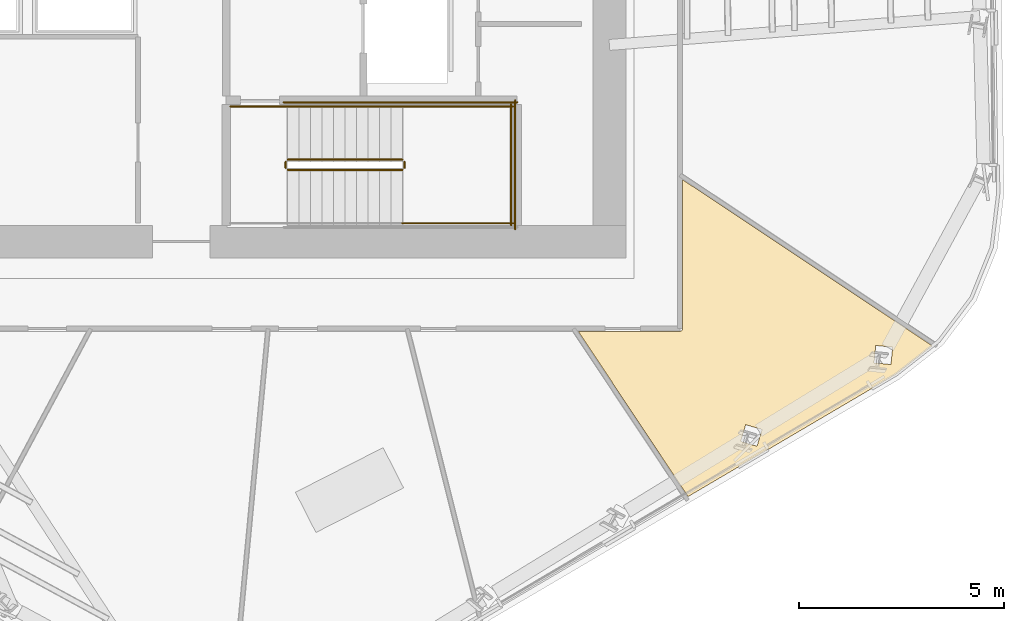
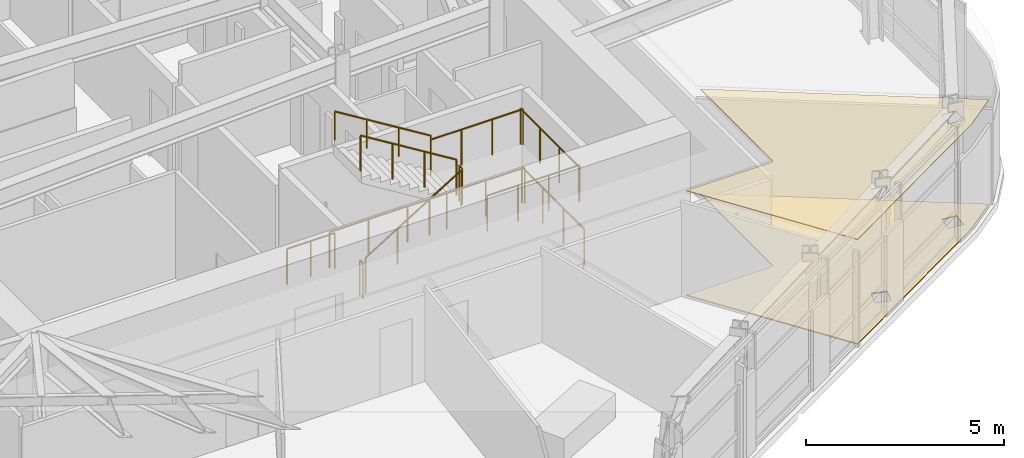
# One storey, part 11 of 16: 11 railings, 2 coverings.
"""IFC4 building model written with IfcOpenShell, lengths in metres."""

from ifc_helpers import new_model, si_unit, direction, frame, origin, origin_2d, place, context, subcontext, project, spatial, polyline, circle, outline, extrude, material, layer, layer_set, type_object, element, save


model = new_model("IFC4")

# Units and contexts
model_context = context("Model", 3, precision=1e-05, world=origin(), true_north=direction((0.0, 1.0)))
body_context = subcontext(model_context, "Body", "Model", "MODEL_VIEW")
ifc_project = project(units=[si_unit("LENGTHUNIT", "METRE"), si_unit("AREAUNIT", "SQUARE_METRE"), si_unit("VOLUMEUNIT", "CUBIC_METRE"), si_unit("PLANEANGLEUNIT", "RADIAN"), si_unit("MASSUNIT", "GRAM", prefix="KILO")], contexts=[model_context])

# Site, building, storey
site_placement = place(None, origin())
site = spatial("IfcSite", under=ifc_project, at=site_placement, CompositionType="ELEMENT")
building_placement = place(site_placement, origin())
building = spatial("IfcBuilding", under=site, at=building_placement, Name="Valkerne Bourse Tower", CompositionType="ELEMENT")
storey_placement = place(building_placement, frame((0.0, 0.0, 155.199951171875)))
storey = spatial("IfcBuildingStorey", under=building, at=storey_placement, Name="L39", CompositionType="ELEMENT", Elevation=155.199951171875)

# Coverings
ifc_material_1 = material(Name="Mineral Fiber Acoustic Ceiling Tile", Category="acoustic")
ifc_layer_1 = layer(ifc_material_1, 0.02490234375)
ifc_layer_set_1 = layer_set([ifc_layer_1], Name="Mineral Fiber Acoustic Ceiling Tile")
covering_type_1 = type_object("IfcCoveringType", Name="COV-CEIL-ACT", PredefinedType="CEILING", material=ifc_layer_set_1)
covering_1_placement = place(storey_placement, frame((0.0, 0.0, 3.22998046875)))
element("IfcCovering", 1, at=covering_1_placement, inside=storey, type_object=covering_type_1, Name="L39 Suspended Ceiling 05", PredefinedType="CEILING", context=body_context, shape_type="SweptSolid", body=[
    extrude(outline(polyline([(55.2412109375, 16.010986328125), (57.720458984375, 16.010986328125), (57.75, 16.017822265625), (57.77587890625, 16.039306640625), (57.7890625, 16.079345703125), (57.7890625, 19.711181640625), (63.87744140625, 15.65771484375), (62.993408203125, 14.964599609375), (57.918701171875, 11.98095703125), (55.2412109375, 16.010986328125)]), holes=[polyline([(59.60302734375, 13.21044921875), (59.7236328125, 13.61669921875), (59.3271484375, 13.735595703125), (59.3251953125, 13.733642578125), (59.20458984375, 13.327392578125), (59.60107421875, 13.20849609375), (59.60302734375, 13.21044921875)]), polyline([(62.91162109375, 15.625732421875), (62.499755859375, 15.66796875), (62.498046875, 15.66552734375), (62.4560546875, 15.244140625), (62.867919921875, 15.201904296875), (62.86962890625, 15.204345703125), (62.91162109375, 15.625732421875)])]), origin(), (0.0, 0.0, 1.0), 0.025146484375),
])
ifc_material_2 = material(Name="Polished Granite Stone", Category="masonry")
ifc_layer_2 = layer(ifc_material_2, 0.030029296875)
ifc_layer_set_2 = layer_set([ifc_layer_2], Name="Polished Granite Stone")
covering_type_2 = type_object("IfcCoveringType", Name="COV-FLR-TERRAZZO", PredefinedType="FLOORING", material=ifc_layer_set_2)
covering_2_placement = place(storey_placement, origin())
element("IfcCovering", 2, at=covering_2_placement, inside=storey, type_object=covering_type_2, Name="L39 Floor Finish 05", PredefinedType="FLOORING", context=body_context, shape_type="SweptSolid", body=[
    extrude(outline(polyline([(55.2412109375, 16.010986328125), (57.720458984375, 16.010986328125), (57.75, 16.017822265625), (57.77587890625, 16.039306640625), (57.7890625, 16.079345703125), (57.7890625, 19.711181640625), (63.87744140625, 15.65771484375), (62.993408203125, 14.964599609375), (57.918701171875, 11.98095703125), (55.2412109375, 16.010986328125)]), holes=[polyline([(59.60302734375, 13.21044921875), (59.7236328125, 13.61669921875), (59.3271484375, 13.735595703125), (59.3251953125, 13.733642578125), (59.20458984375, 13.327392578125), (59.60107421875, 13.20849609375), (59.60302734375, 13.21044921875)]), polyline([(62.91162109375, 15.625732421875), (62.499755859375, 15.66796875), (62.498046875, 15.66552734375), (62.4560546875, 15.244140625), (62.867919921875, 15.201904296875), (62.86962890625, 15.204345703125), (62.91162109375, 15.625732421875)])]), origin(), (0.0, 0.0, 1.0), 0.030029296875),
])

# Railings
ifc_material_3 = material(Name="Galvanised Painted Steel", Category="steel")
railing_type_1 = type_object("IfcRailingType", Name="RLG-ST-GUARD-1120", PredefinedType="GUARDRAIL", material=ifc_material_3)
railing_1_placement = place(storey_placement, frame((48.14990234375, 19.949951171875, 0.1728515625)))
element("IfcRailing", 3, at=railing_1_placement, inside=storey, type_object=railing_type_1, Name="L39 ST-1 stair guard 1", PredefinedType="GUARDRAIL", context=body_context, shape_type="SweptSolid", body=[
    extrude(circle(Radius=0.02392578125, at=origin_2d()), frame((0.0, 0.0, 1.09619140625), z_axis=(0.851089632645, 0.0, 0.525020415988), x_axis=(0.0, 1.0, 0.0)), (0.0, 0.0, 1.0), 3.2900390625),
    extrude(circle(Radius=0.02099609375, at=origin_2d()), origin(), (0.0, 0.0, 1.0), 1.072021484375),
    extrude(circle(Radius=0.02099609375, at=origin_2d()), frame((0.933349609375, 0.0, 0.57568359375)), (0.0, 0.0, 1.0), 1.072021484375),
    extrude(circle(Radius=0.02099609375, at=origin_2d()), frame((1.86669921875, 0.0, 1.151611328125)), (0.0, 0.0, 1.0), 1.072021484375),
    extrude(circle(Radius=0.02099609375, at=origin_2d()), frame((2.800048828125, 0.0, 1.727294921875)), (0.0, 0.0, 1.0), 1.072021484375),
])
railing_2_placement = place(storey_placement, frame((51.0, 20.0, 1.900146484375)))
element("IfcRailing", 4, at=railing_2_placement, inside=storey, type_object=railing_type_1, Name="L39 ST-1 stair guard 2", PredefinedType="GUARDRAIL", context=body_context, shape_type="SweptSolid", body=[
    extrude(circle(Radius=0.02392578125, at=origin_2d()), frame((0.0, 0.0, 1.09619140625), z_axis=(0.0, 1.0, 0.0), x_axis=(-1.0, 0.0, 0.0)), (0.0, 0.0, 1.0), 0.14990234375),
    extrude(circle(Radius=0.02099609375, at=origin_2d()), origin(), (0.0, 0.0, 1.0), 1.072021484375),
    extrude(circle(Radius=0.02099609375, at=origin_2d()), frame((0.0, 0.14990234375, 0.0)), (0.0, 0.0, 1.0), 1.072021484375),
])
for number, where, name in (
    (5, (50.949951171875, 18.64990234375, 1.900146484375), "L39 ST-1 stair guard 3"),
    (6, (50.949951171875, 21.5, 1.900146484375), "L39 ST-1 stair guard 4"),
):
    element("IfcRailing", number, at=place(storey_placement, frame(where)), inside=storey, type_object=railing_type_1, Name=name, PredefinedType="GUARDRAIL", context=body_context, shape_type="SweptSolid", body=[
        extrude(circle(Radius=0.02392578125, at=origin_2d()), frame((0.0, 0.0, 1.09619140625), z_axis=(1.0, 0.0, 0.0), x_axis=(0.0, 1.0, 0.0)), (0.0, 0.0, 1.0), 2.699951171875),
        extrude(circle(Radius=0.02099609375, at=origin_2d()), origin(), (0.0, 0.0, 1.0), 1.072021484375),
        extrude(circle(Radius=0.02099609375, at=origin_2d()), frame((0.89990234375, 0.0, 0.0)), (0.0, 0.0, 1.0), 1.072021484375),
        extrude(circle(Radius=0.02099609375, at=origin_2d()), frame((1.800048828125, 0.0, 0.0)), (0.0, 0.0, 1.0), 1.072021484375),
        extrude(circle(Radius=0.02099609375, at=origin_2d()), frame((2.699951171875, 0.0, 0.0)), (0.0, 0.0, 1.0), 1.072021484375),
    ])
railing_3_placement = place(storey_placement, frame((53.60009765625, 18.60009765625, 1.900146484375)))
element("IfcRailing", 7, at=railing_3_placement, inside=storey, type_object=railing_type_1, Name="L39 ST-1 stair guard 5", PredefinedType="GUARDRAIL", context=body_context, shape_type="SweptSolid", body=[
    extrude(circle(Radius=0.02392578125, at=origin_2d()), frame((0.0, 0.0, 1.09619140625), z_axis=(0.0, 1.0, 0.0), x_axis=(-1.0, 0.0, 0.0)), (0.0, 0.0, 1.0), 2.949951171875),
    extrude(circle(Radius=0.02099609375, at=origin_2d()), origin(), (0.0, 0.0, 1.0), 1.072021484375),
    extrude(circle(Radius=0.02099609375, at=origin_2d()), frame((0.0, 0.9833984375, 0.0)), (0.0, 0.0, 1.0), 1.072021484375),
    extrude(circle(Radius=0.02099609375, at=origin_2d()), frame((0.0, 1.966552734375, 0.0)), (0.0, 0.0, 1.0), 1.072021484375),
    extrude(circle(Radius=0.02099609375, at=origin_2d()), frame((0.0, 2.949951171875, 0.0)), (0.0, 0.0, 1.0), 1.072021484375),
])
railing_4_placement = place(storey_placement, frame((50.949951171875, 20.199951171875, 2.07275390625)))
element("IfcRailing", 8, at=railing_4_placement, inside=storey, type_object=railing_type_1, Name="L39 ST-1 stair guard 6", PredefinedType="GUARDRAIL", context=body_context, shape_type="SweptSolid", body=[
    extrude(circle(Radius=0.02392578125, at=origin_2d()), frame((0.0, 0.0, 1.09619140625), z_axis=(-0.851089632645, 0.0, 0.525020415988), x_axis=(0.0, -1.0, 0.0)), (0.0, 0.0, 1.0), 3.2900390625),
    extrude(circle(Radius=0.02099609375, at=origin_2d()), origin(), (0.0, 0.0, 1.0), 1.072021484375),
    extrude(circle(Radius=0.02099609375, at=origin_2d()), frame((-0.933349609375, 0.0, 0.57568359375)), (0.0, 0.0, 1.0), 1.072021484375),
    extrude(circle(Radius=0.02099609375, at=origin_2d()), frame((-1.86669921875, 0.0, 1.151611328125)), (0.0, 0.0, 1.0), 1.072021484375),
    extrude(circle(Radius=0.02099609375, at=origin_2d()), frame((-2.800048828125, 0.0, 1.727294921875)), (0.0, 0.0, 1.0), 1.072021484375),
])
railing_5_placement = place(storey_placement, frame((48.10009765625, 20.0, 0.0)))
element("IfcRailing", 9, at=railing_5_placement, inside=storey, type_object=railing_type_1, Name="L39 ST-1 stair guard 7", PredefinedType="GUARDRAIL", context=body_context, shape_type="SweptSolid", body=[
    extrude(circle(Radius=0.02392578125, at=origin_2d()), frame((0.0, 0.0, 1.09619140625), z_axis=(0.0, 1.0, 0.0), x_axis=(-1.0, 0.0, 0.0)), (0.0, 0.0, 1.0), 0.14990234375),
    extrude(circle(Radius=0.02099609375, at=origin_2d()), origin(), (0.0, 0.0, 1.0), 1.072021484375),
    extrude(circle(Radius=0.02099609375, at=origin_2d()), frame((0.0, 0.14990234375, 0.0)), (0.0, 0.0, 1.0), 1.072021484375),
])
railing_6_placement = place(storey_placement, frame((46.75, 21.5, 0.0)))
element("IfcRailing", 10, at=railing_6_placement, inside=storey, type_object=railing_type_1, Name="L39 ST-1 stair guard 9", PredefinedType="GUARDRAIL", context=body_context, shape_type="SweptSolid", body=[
    extrude(circle(Radius=0.02392578125, at=origin_2d()), frame((0.0, 0.0, 1.09619140625), z_axis=(1.0, 0.0, 0.0), x_axis=(0.0, 1.0, 0.0)), (0.0, 0.0, 1.0), 1.39990234375),
    extrude(circle(Radius=0.02099609375, at=origin_2d()), origin(), (0.0, 0.0, 1.0), 1.072021484375),
    extrude(circle(Radius=0.02099609375, at=origin_2d()), frame((0.699951171875, 0.0, 0.0)), (0.0, 0.0, 1.0), 1.072021484375),
    extrude(circle(Radius=0.02099609375, at=origin_2d()), frame((1.39990234375, 0.0, 0.0)), (0.0, 0.0, 1.0), 1.072021484375),
])
railing_7_placement = place(storey_placement, frame((48.050048828125, 21.60009765625, 0.0)))
element("IfcRailing", 11, at=railing_7_placement, inside=storey, type_object=railing_type_1, Name="L39 ST-1 stair guard 11", PredefinedType="GUARDRAIL", context=body_context, shape_type="SweptSolid", body=[
    extrude(circle(Radius=0.02392578125, at=origin_2d()), frame((0.0, 0.0, 1.09619140625), z_axis=(1.0, 0.0, 0.0), x_axis=(0.0, 1.0, 0.0)), (0.0, 0.0, 1.0), 5.699951171875),
    extrude(circle(Radius=0.02099609375, at=origin_2d()), origin(), (0.0, 0.0, 1.0), 1.072021484375),
    extrude(circle(Radius=0.02099609375, at=origin_2d()), frame((1.139892578125, 0.0, 0.0)), (0.0, 0.0, 1.0), 1.072021484375),
    extrude(circle(Radius=0.02099609375, at=origin_2d()), frame((2.280029296875, 0.0, 0.0)), (0.0, 0.0, 1.0), 1.072021484375),
    extrude(circle(Radius=0.02099609375, at=origin_2d()), frame((3.419921875, 0.0, 0.0)), (0.0, 0.0, 1.0), 1.072021484375),
    extrude(circle(Radius=0.02099609375, at=origin_2d()), frame((4.56005859375, 0.0, 0.0)), (0.0, 0.0, 1.0), 1.072021484375),
    extrude(circle(Radius=0.02099609375, at=origin_2d()), frame((5.699951171875, 0.0, 0.0)), (0.0, 0.0, 1.0), 1.072021484375),
])
railing_8_placement = place(storey_placement, frame((53.699951171875, 18.5, 0.0)))
element("IfcRailing", 12, at=railing_8_placement, inside=storey, type_object=railing_type_1, Name="L39 ST-1 stair guard 12", PredefinedType="GUARDRAIL", context=body_context, shape_type="SweptSolid", body=[
    extrude(circle(Radius=0.02392578125, at=origin_2d()), frame((0.0, 0.0, 1.09619140625), z_axis=(0.0, 1.0, 0.0), x_axis=(-1.0, 0.0, 0.0)), (0.0, 0.0, 1.0), 3.14990234375),
    extrude(circle(Radius=0.02099609375, at=origin_2d()), origin(), (0.0, 0.0, 1.0), 1.072021484375),
    extrude(circle(Radius=0.02099609375, at=origin_2d()), frame((0.0, 1.050048828125, 0.0)), (0.0, 0.0, 1.0), 1.072021484375),
    extrude(circle(Radius=0.02099609375, at=origin_2d()), frame((0.0, 2.099853515625, 0.0)), (0.0, 0.0, 1.0), 1.072021484375),
    extrude(circle(Radius=0.02099609375, at=origin_2d()), frame((0.0, 3.14990234375, 0.0)), (0.0, 0.0, 1.0), 1.072021484375),
])
ifc_material_4 = material(Name="Stainless Steel AISI 316", Category="steel")
railing_type_2 = type_object("IfcRailingType", Name="RLG-ST-HANDRAIL-900", PredefinedType="HANDRAIL", material=ifc_material_4)
railing_9_placement = place(storey_placement, frame((50.949951171875, 21.5, 2.24560546875)))
element("IfcRailing", 13, at=railing_9_placement, inside=storey, type_object=railing_type_2, Name="L39 ST-1 stair handrail 2", PredefinedType="HANDRAIL", context=body_context, shape_type="SweptSolid", body=[
    extrude(circle(Radius=0.02392578125, at=origin_2d()), frame((0.0, 0.0, 0.8759765625), z_axis=(-0.851122791225, 0.0, 0.524966660138), x_axis=(0.0, -1.0, 0.0)), (0.0, 0.0, 1.0), 3.289794921875),
    extrude(circle(Radius=0.02099609375, at=origin_2d()), origin(), (0.0, 0.0, 1.0), 0.851806640625),
    extrude(circle(Radius=0.02099609375, at=origin_2d()), frame((-0.933349609375, 0.0, 0.57568359375)), (0.0, 0.0, 1.0), 0.851806640625),
    extrude(circle(Radius=0.02099609375, at=origin_2d()), frame((-1.86669921875, 0.0, 1.1513671875)), (0.0, 0.0, 1.0), 0.851806640625),
    extrude(circle(Radius=0.02099609375, at=origin_2d()), frame((-2.800048828125, 0.0, 1.72705078125)), (0.0, 0.0, 1.0), 0.851806640625),
])

save(model, "model.ifc")
